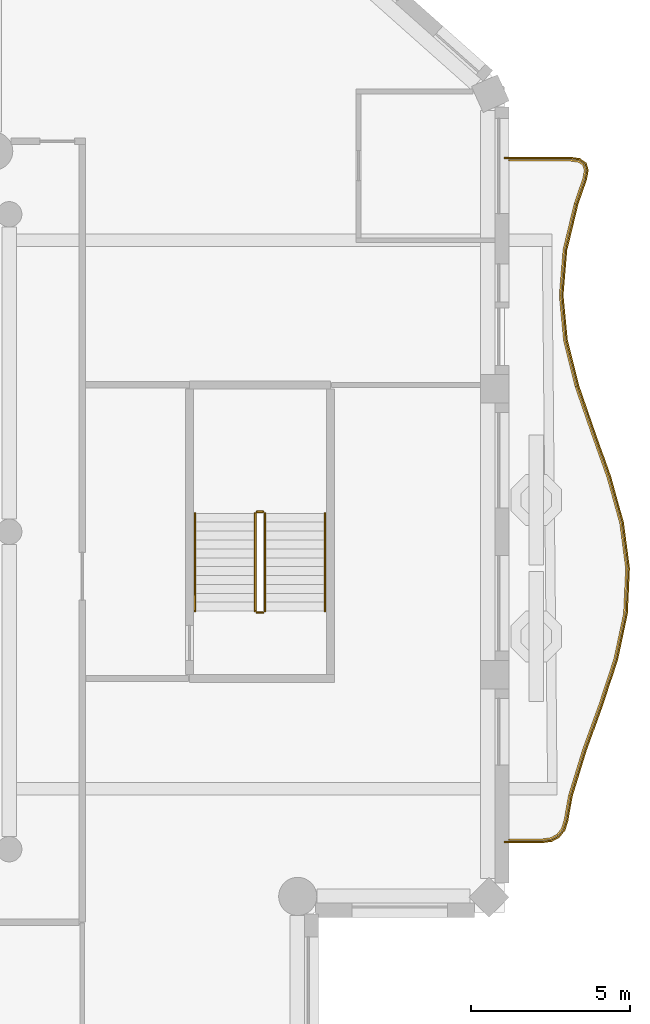
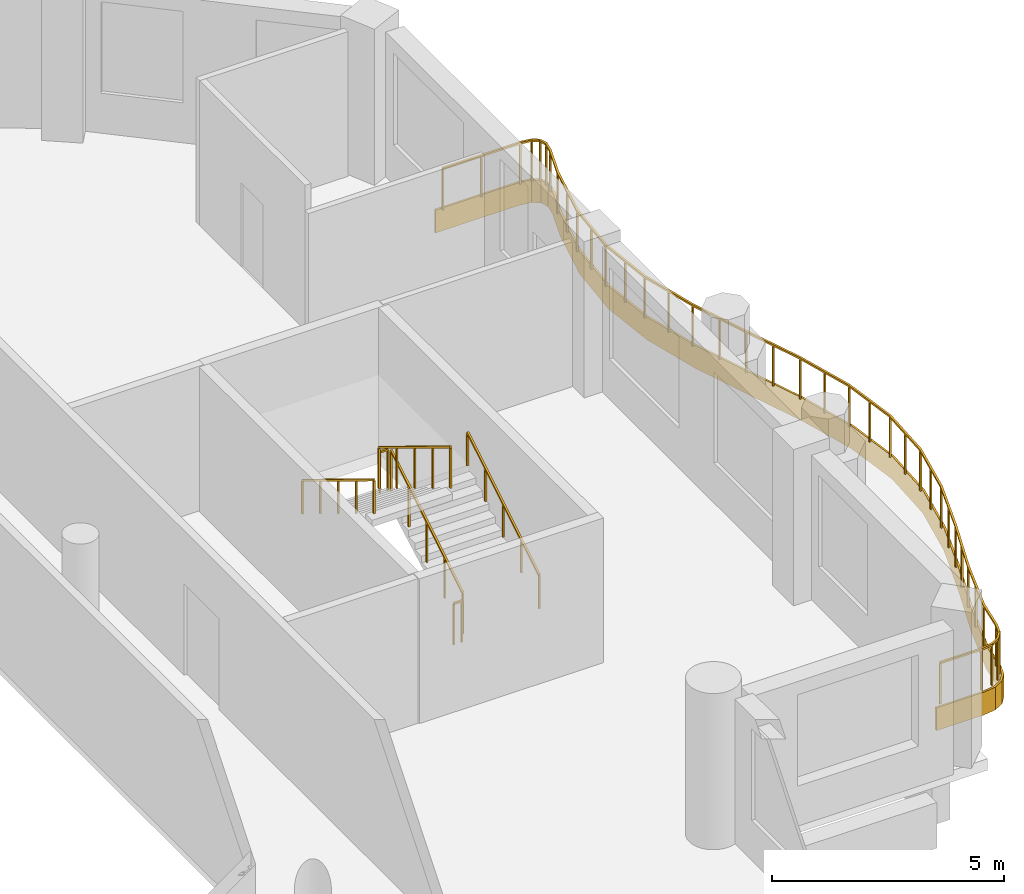
# One storey, part 13 of 15: 7 railings, 1 covering.
"""IFC4 building model written with IfcOpenShell, lengths in metres."""

from ifc_helpers import new_model, si_unit, direction, frame, origin, origin_2d, place, context, subcontext, project, spatial, polyline, rectangle, outline, extrude, material, layer, layer_set, type_object, element, save


model = new_model("IFC4")

# Units and contexts
model_context = context("Model", 3, precision=1e-05, world=origin(), true_north=direction((0.0, 1.0)))
body_context = subcontext(model_context, "Body", "Model", "MODEL_VIEW")
ifc_project = project(units=[si_unit("LENGTHUNIT", "METRE"), si_unit("AREAUNIT", "SQUARE_METRE"), si_unit("VOLUMEUNIT", "CUBIC_METRE"), si_unit("PLANEANGLEUNIT", "RADIAN"), si_unit("MASSUNIT", "GRAM", prefix="KILO")], contexts=[model_context])

# Site, building, storey
site_placement = place(None, origin())
site = spatial("IfcSite", under=ifc_project, at=site_placement, CompositionType="ELEMENT")
building_placement = place(site_placement, origin())
building = spatial("IfcBuilding", under=site, at=building_placement, Name="Cypress Arch Tower", CompositionType="ELEMENT")
storey_placement = place(building_placement, frame((0.0, 0.0, 309.0)))
storey = spatial("IfcBuildingStorey", under=building, at=storey_placement, Name="L70", CompositionType="ELEMENT", Elevation=309.0)

# Covering
ifc_material_1 = material(Name="White powder-coated aluminium fascia", Category="aluminium")
ifc_layer = layer(ifc_material_1, 0.050048828125)
ifc_layer_set = layer_set([ifc_layer], Name="Balcony fascia BF50")
covering_type = type_object("IfcCoveringType", Name="Balcony fascia BF50", PredefinedType="CLADDING", material=ifc_layer_set)
covering_placement = place(storey_placement, frame((0.0, 0.0, -0.60009765625)))
element("IfcCovering", 1, at=covering_placement, inside=storey, type_object=covering_type, Name="Balcony fascia L70-C17", PredefinedType="CLADDING", context=body_context, shape_type="SweptSolid", body=[
    extrude(outline(polyline([(26.68017578125, 11.800048828125), (26.980224609375, 11.757568359375), (27.176025390625, 11.61962890625), (27.2431640625, 11.3896484375), (27.186279296875, 11.092041015625), (26.916015625, 10.302734375), (26.569580078125, 8.875244140625), (26.450439453125, 7.4501953125), (26.587158203125, 6.025146484375), (26.94677734375, 4.59765625), (27.442138671875, 3.16650390625), (27.952392578125, 1.731689453125), (28.35205078125, 0.29345703125), (28.542236328125, -1.14794921875), (28.4755859375, -2.58984375), (28.168701171875, -4.02978515625), (27.697509765625, -5.46630859375), (27.1787109375, -6.899169921875), (26.7392578125, -8.328369140625), (26.59912109375, -9.1171875), (26.504150390625, -9.4111328125), (26.33349609375, -9.6279296875), (26.090087890625, -9.758056640625), (25.7841796875, -9.800048828125), (24.60107421875, -9.800048828125), (24.60107421875, -9.75), (25.78076171875, -9.75), (26.074462890625, -9.709716796875), (26.300537109375, -9.5888671875), (26.459228515625, -9.38720703125), (26.55029296875, -9.10498046875), (26.6904296875, -8.316650390625), (27.13134765625, -6.88330078125), (27.650390625, -5.449951171875), (28.1201171875, -4.0166015625), (28.42578125, -2.583251953125), (28.4921875, -1.14990234375), (28.302978515625, 0.283447265625), (27.90478515625, 1.716552734375), (27.39501953125, 3.14990234375), (26.898681640625, 4.583251953125), (26.53759765625, 6.0166015625), (26.400146484375, 7.449951171875), (26.52001953125, 8.88330078125), (26.867919921875, 10.316650390625), (27.1376953125, 11.10498046875), (27.191650390625, 11.38720703125), (27.1328125, 11.5888671875), (26.961181640625, 11.709716796875), (26.6767578125, 11.75), (24.60107421875, 11.75), (24.60107421875, 11.800048828125), (26.68017578125, 11.800048828125)])), origin(), (0.0, 0.0, 1.0), 0.60009765625),
])

# Railings
ifc_material_2 = material(Name="Powder-coated steel posts and rods, 100 mm clear between rods", Category="steel")
railing_type_1 = type_object("IfcRailingType", Name="Balcony guard GR1100", PredefinedType="GUARDRAIL", material=ifc_material_2)
railing_1_placement = place(storey_placement, frame((24.75, 11.699951171875, 0.0)))
element("IfcRailing", 2, at=railing_1_placement, inside=storey, type_object=railing_type_1, Name="Balcony guard L70-C17", PredefinedType="GUARDRAIL", context=body_context, shape_type="SweptSolid", body=[
    extrude(rectangle(XDim=0.050048828125, YDim=0.050048828125, at=origin_2d()), frame((0.0, 0.0, 1.0751953125), z_axis=(1.0, 0.0, 0.0), x_axis=(0.0, 1.0, 0.0)), (0.0, 0.0, 1.0), 1.92333984375),
    extrude(rectangle(XDim=0.050048828125, YDim=0.050048828125, at=origin_2d()), frame((1.92333984375, 0.0, 1.0751953125), z_axis=(0.990128391125, -0.140163365713, 0.0), x_axis=(0.140163365713, 0.990128391125, 0.0)), (0.0, 0.0, 1.0), 0.271728515625),
    extrude(rectangle(XDim=0.050048828125, YDim=0.050048828125, at=origin_2d()), frame((2.1923828125, -0.0380859375, 1.0751953125), z_axis=(0.817192775019, -0.576364440659, 0.0), x_axis=(0.576364440659, 0.817192775019, 0.0)), (0.0, 0.0, 1.0), 0.180419921875),
    extrude(rectangle(XDim=0.050048828125, YDim=0.050048828125, at=origin_2d()), frame((2.33984375, -0.14208984375, 1.0751953125), z_axis=(0.280259940984, -0.95992414569, 0.0), x_axis=(0.95992414569, 0.280259940984, 0.0)), (0.0, 0.0, 1.0), 0.180419921875),
    extrude(rectangle(XDim=0.050048828125, YDim=0.050048828125, at=origin_2d()), frame((2.390380859375, -0.315185546875, 1.0751953125), z_axis=(-0.18781405479, -0.982204602322, 0.0), x_axis=(0.982204602322, -0.18781405479, 0.0)), (0.0, 0.0, 1.0), 0.271728515625),
    extrude(rectangle(XDim=0.050048828125, YDim=0.050048828125, at=origin_2d()), frame((2.33935546875, -0.58203125, 1.0751953125), z_axis=(-0.323874276522, -0.946100128426, 0.0), x_axis=(0.946100128426, -0.323874276522, 0.0)), (0.0, 0.0, 1.0), 0.832275390625),
    extrude(rectangle(XDim=0.050048828125, YDim=0.050048828125, at=origin_2d()), frame((2.06982421875, -1.369384765625, 1.0751953125), z_axis=(-0.235897255412, -0.971778001855, 0.0), x_axis=(0.971778001855, -0.235897255412, 0.0)), (0.0, 0.0, 1.0), 1.48095703125),
    extrude(rectangle(XDim=0.050048828125, YDim=0.050048828125, at=origin_2d()), frame((1.720458984375, -2.80859375, 1.0751953125), z_axis=(-0.083366698614, -0.996518937884, 0.0), x_axis=(0.996518937884, -0.083366698614, 0.0)), (0.0, 0.0, 1.0), 1.44677734375),
    extrude(rectangle(XDim=0.050048828125, YDim=0.050048828125, at=origin_2d()), frame((1.599853515625, -4.250244140625, 1.0751953125), z_axis=(0.09558071033, -0.995421683415, 0.0), x_axis=(0.995421683415, 0.09558071033, 0.0)), (0.0, 0.0, 1.0), 1.4482421875),
    extrude(rectangle(XDim=0.050048828125, YDim=0.050048828125, at=origin_2d()), frame((1.73828125, -5.69189453125, 1.0751953125), z_axis=(0.24431593072, -0.969695687315, 0.0), x_axis=(0.969695687315, 0.24431593072, 0.0)), (0.0, 0.0, 1.0), 1.48388671875),
    extrude(rectangle(XDim=0.050048828125, YDim=0.050048828125, at=origin_2d()), frame((2.100830078125, -7.130859375, 1.0751953125), z_axis=(0.327198876846, -0.944955498947, 0.0), x_axis=(0.944955498947, 0.327198876846, 0.0)), (0.0, 0.0, 1.0), 1.519287109375),
    extrude(rectangle(XDim=0.050048828125, YDim=0.050048828125, at=origin_2d()), frame((2.597900390625, -8.56640625, 1.0751953125), z_axis=(0.335104742792, -0.942180880382, 0.0), x_axis=(0.942180880382, 0.335104742792, 0.0)), (0.0, 0.0, 1.0), 1.519775390625),
    extrude(rectangle(XDim=0.050048828125, YDim=0.050048828125, at=origin_2d()), frame((3.107177734375, -9.998291015625, 1.0751953125), z_axis=(0.267643863786, -0.96351790963, 0.0), x_axis=(0.96351790963, 0.267643863786, 0.0)), (0.0, 0.0, 1.0), 1.482421875),
    extrude(rectangle(XDim=0.050048828125, YDim=0.050048828125, at=origin_2d()), frame((3.50390625, -11.426513671875, 1.0751953125), z_axis=(0.13090688288, -0.991394668139, 0.0), x_axis=(0.991394668139, 0.13090688288, 0.0)), (0.0, 0.0, 1.0), 1.43798828125),
    extrude(rectangle(XDim=0.050048828125, YDim=0.050048828125, at=origin_2d()), frame((3.692138671875, -12.85205078125, 1.0751953125), z_axis=(-0.046385931084, -0.998923593373, 0.0), x_axis=(0.998923593373, -0.046385931084, 0.0)), (0.0, 0.0, 1.0), 1.42626953125),
    extrude(rectangle(XDim=0.050048828125, YDim=0.050048828125, at=origin_2d()), frame((3.6259765625, -14.27685546875, 1.0751953125), z_axis=(-0.20852322051, -0.97801741626, 0.0), x_axis=(0.97801741626, -0.20852322051, 0.0)), (0.0, 0.0, 1.0), 1.458740234375),
    extrude(rectangle(XDim=0.050048828125, YDim=0.050048828125, at=origin_2d()), frame((3.32177734375, -15.70361328125, 1.0751953125), z_axis=(-0.311502638206, -0.950245287487, 0.0), x_axis=(0.950245287487, -0.311502638206, 0.0)), (0.0, 0.0, 1.0), 1.5048828125),
    extrude(rectangle(XDim=0.050048828125, YDim=0.050048828125, at=origin_2d()), frame((2.85302734375, -17.133544921875, 1.0751953125), z_axis=(-0.340380071037, -0.940287938475, 0.0), x_axis=(0.940287938475, -0.340380071037, 0.0)), (0.0, 0.0, 1.0), 1.52490234375),
    extrude(rectangle(XDim=0.050048828125, YDim=0.050048828125, at=origin_2d()), frame((2.333984375, -18.5673828125, 1.0751953125), z_axis=(-0.293983183143, -0.955810592131, 0.0), x_axis=(0.955810592131, -0.293983183143, 0.0)), (0.0, 0.0, 1.0), 1.50390625),
    extrude(rectangle(XDim=0.050048828125, YDim=0.050048828125, at=origin_2d()), frame((1.891845703125, -20.0048828125, 1.0751953125), z_axis=(-0.175125344841, -0.984546145995, 0.0), x_axis=(0.984546145995, -0.175125344841, 0.0)), (0.0, 0.0, 1.0), 0.80029296875),
    extrude(rectangle(XDim=0.050048828125, YDim=0.050048828125, at=origin_2d()), frame((1.751708984375, -20.792724609375, 1.0751953125), z_axis=(-0.306676473275, -0.951813816216, 0.0), x_axis=(0.951813816216, -0.306676473275, 0.0)), (0.0, 0.0, 1.0), 0.2841796875),
    extrude(rectangle(XDim=0.050048828125, YDim=0.050048828125, at=origin_2d()), frame((1.66455078125, -21.063232421875, 1.0751953125), z_axis=(-0.618775972519, -0.785567499221, 0.0), x_axis=(0.785567499221, -0.618775972519, 0.0)), (0.0, 0.0, 1.0), 0.237060546875),
    extrude(rectangle(XDim=0.050048828125, YDim=0.050048828125, at=origin_2d()), frame((1.517822265625, -21.24951171875, 1.0751953125), z_axis=(-0.881724858893, -0.471764001604, 0.0), x_axis=(0.471764001604, -0.881724858893, 0.0)), (0.0, 0.0, 1.0), 0.237060546875),
    extrude(rectangle(XDim=0.050048828125, YDim=0.050048828125, at=origin_2d()), frame((1.308837890625, -21.361328125, 1.0751953125), z_axis=(-0.990741063369, -0.135765037305, 0.0), x_axis=(0.135765037305, -0.990741063369, 0.0)), (0.0, 0.0, 1.0), 0.2841796875),
    extrude(rectangle(XDim=0.050048828125, YDim=0.050048828125, at=origin_2d()), frame((1.02734375, -21.39990234375, 1.0751953125), z_axis=(-1.0, 0.0, 0.0), x_axis=(0.0, -1.0, 0.0)), (0.0, 0.0, 1.0), 1.02734375),
    extrude(rectangle(XDim=0.0400390625, YDim=0.0400390625, at=origin_2d()), origin(), (0.0, 0.0, 1.0), 1.050048828125),
    extrude(rectangle(XDim=0.0400390625, YDim=0.0400390625, at=origin_2d()), frame((0.961669921875, 0.0, 0.0)), (0.0, 0.0, 1.0), 1.050048828125),
    extrude(rectangle(XDim=0.0400390625, YDim=0.0400390625, at=origin_2d()), frame((1.92333984375, 0.0, 0.0)), (0.0, 0.0, 1.0), 1.050048828125),
    extrude(rectangle(XDim=0.0400390625, YDim=0.0400390625, at=origin_2d()), frame((2.1923828125, -0.0380859375, 0.0)), (0.0, 0.0, 1.0), 1.050048828125),
    extrude(rectangle(XDim=0.0400390625, YDim=0.0400390625, at=origin_2d()), frame((2.33984375, -0.14208984375, 0.0)), (0.0, 0.0, 1.0), 1.050048828125),
    extrude(rectangle(XDim=0.0400390625, YDim=0.0400390625, at=origin_2d()), frame((2.390380859375, -0.315185546875, 0.0)), (0.0, 0.0, 1.0), 1.050048828125),
    extrude(rectangle(XDim=0.0400390625, YDim=0.0400390625, at=origin_2d()), frame((2.33935546875, -0.58203125, 0.0)), (0.0, 0.0, 1.0), 1.050048828125),
    extrude(rectangle(XDim=0.0400390625, YDim=0.0400390625, at=origin_2d()), frame((2.06982421875, -1.369384765625, 0.0)), (0.0, 0.0, 1.0), 1.050048828125),
    extrude(rectangle(XDim=0.0400390625, YDim=0.0400390625, at=origin_2d()), frame((1.89501953125, -2.0888671875, 0.0)), (0.0, 0.0, 1.0), 1.050048828125),
    extrude(rectangle(XDim=0.0400390625, YDim=0.0400390625, at=origin_2d()), frame((1.720458984375, -2.80859375, 0.0)), (0.0, 0.0, 1.0), 1.050048828125),
    extrude(rectangle(XDim=0.0400390625, YDim=0.0400390625, at=origin_2d()), frame((1.66015625, -3.529296875, 0.0)), (0.0, 0.0, 1.0), 1.050048828125),
    extrude(rectangle(XDim=0.0400390625, YDim=0.0400390625, at=origin_2d()), frame((1.599853515625, -4.250244140625, 0.0)), (0.0, 0.0, 1.0), 1.050048828125),
    extrude(rectangle(XDim=0.0400390625, YDim=0.0400390625, at=origin_2d()), frame((1.6689453125, -4.97119140625, 0.0)), (0.0, 0.0, 1.0), 1.050048828125),
    extrude(rectangle(XDim=0.0400390625, YDim=0.0400390625, at=origin_2d()), frame((1.73828125, -5.69189453125, 0.0)), (0.0, 0.0, 1.0), 1.050048828125),
    extrude(rectangle(XDim=0.0400390625, YDim=0.0400390625, at=origin_2d()), frame((1.91943359375, -6.411376953125, 0.0)), (0.0, 0.0, 1.0), 1.050048828125),
    extrude(rectangle(XDim=0.0400390625, YDim=0.0400390625, at=origin_2d()), frame((2.100830078125, -7.130859375, 0.0)), (0.0, 0.0, 1.0), 1.050048828125),
    extrude(rectangle(XDim=0.0400390625, YDim=0.0400390625, at=origin_2d()), frame((2.349365234375, -7.8486328125, 0.0)), (0.0, 0.0, 1.0), 1.050048828125),
    extrude(rectangle(XDim=0.0400390625, YDim=0.0400390625, at=origin_2d()), frame((2.597900390625, -8.56640625, 0.0)), (0.0, 0.0, 1.0), 1.050048828125),
    extrude(rectangle(XDim=0.0400390625, YDim=0.0400390625, at=origin_2d()), frame((2.8525390625, -9.2822265625, 0.0)), (0.0, 0.0, 1.0), 1.050048828125),
    extrude(rectangle(XDim=0.0400390625, YDim=0.0400390625, at=origin_2d()), frame((3.107177734375, -9.998291015625, 0.0)), (0.0, 0.0, 1.0), 1.050048828125),
    extrude(rectangle(XDim=0.0400390625, YDim=0.0400390625, at=origin_2d()), frame((3.3056640625, -10.71240234375, 0.0)), (0.0, 0.0, 1.0), 1.050048828125),
    extrude(rectangle(XDim=0.0400390625, YDim=0.0400390625, at=origin_2d()), frame((3.50390625, -11.426513671875, 0.0)), (0.0, 0.0, 1.0), 1.050048828125),
    extrude(rectangle(XDim=0.0400390625, YDim=0.0400390625, at=origin_2d()), frame((3.59814453125, -12.13916015625, 0.0)), (0.0, 0.0, 1.0), 1.050048828125),
    extrude(rectangle(XDim=0.0400390625, YDim=0.0400390625, at=origin_2d()), frame((3.692138671875, -12.85205078125, 0.0)), (0.0, 0.0, 1.0), 1.050048828125),
    extrude(rectangle(XDim=0.0400390625, YDim=0.0400390625, at=origin_2d()), frame((3.6591796875, -13.564453125, 0.0)), (0.0, 0.0, 1.0), 1.050048828125),
    extrude(rectangle(XDim=0.0400390625, YDim=0.0400390625, at=origin_2d()), frame((3.6259765625, -14.27685546875, 0.0)), (0.0, 0.0, 1.0), 1.050048828125),
    extrude(rectangle(XDim=0.0400390625, YDim=0.0400390625, at=origin_2d()), frame((3.473876953125, -14.990234375, 0.0)), (0.0, 0.0, 1.0), 1.050048828125),
    extrude(rectangle(XDim=0.0400390625, YDim=0.0400390625, at=origin_2d()), frame((3.32177734375, -15.70361328125, 0.0)), (0.0, 0.0, 1.0), 1.050048828125),
    extrude(rectangle(XDim=0.0400390625, YDim=0.0400390625, at=origin_2d()), frame((3.08740234375, -16.41845703125, 0.0)), (0.0, 0.0, 1.0), 1.050048828125),
    extrude(rectangle(XDim=0.0400390625, YDim=0.0400390625, at=origin_2d()), frame((2.85302734375, -17.133544921875, 0.0)), (0.0, 0.0, 1.0), 1.050048828125),
    extrude(rectangle(XDim=0.0400390625, YDim=0.0400390625, at=origin_2d()), frame((2.593505859375, -17.8505859375, 0.0)), (0.0, 0.0, 1.0), 1.050048828125),
    extrude(rectangle(XDim=0.0400390625, YDim=0.0400390625, at=origin_2d()), frame((2.333984375, -18.5673828125, 0.0)), (0.0, 0.0, 1.0), 1.050048828125),
    extrude(rectangle(XDim=0.0400390625, YDim=0.0400390625, at=origin_2d()), frame((2.11279296875, -19.2861328125, 0.0)), (0.0, 0.0, 1.0), 1.050048828125),
    extrude(rectangle(XDim=0.0400390625, YDim=0.0400390625, at=origin_2d()), frame((1.891845703125, -20.0048828125, 0.0)), (0.0, 0.0, 1.0), 1.050048828125),
    extrude(rectangle(XDim=0.0400390625, YDim=0.0400390625, at=origin_2d()), frame((1.751708984375, -20.792724609375, 0.0)), (0.0, 0.0, 1.0), 1.050048828125),
    extrude(rectangle(XDim=0.0400390625, YDim=0.0400390625, at=origin_2d()), frame((1.66455078125, -21.063232421875, 0.0)), (0.0, 0.0, 1.0), 1.050048828125),
    extrude(rectangle(XDim=0.0400390625, YDim=0.0400390625, at=origin_2d()), frame((1.517822265625, -21.24951171875, 0.0)), (0.0, 0.0, 1.0), 1.050048828125),
    extrude(rectangle(XDim=0.0400390625, YDim=0.0400390625, at=origin_2d()), frame((1.308837890625, -21.361328125, 0.0)), (0.0, 0.0, 1.0), 1.050048828125),
    extrude(rectangle(XDim=0.0400390625, YDim=0.0400390625, at=origin_2d()), frame((1.02734375, -21.39990234375, 0.0)), (0.0, 0.0, 1.0), 1.050048828125),
    extrude(rectangle(XDim=0.0400390625, YDim=0.0400390625, at=origin_2d()), frame((0.0, -21.39990234375, 0.0)), (0.0, 0.0, 1.0), 1.050048828125),
])
ifc_material_3 = material(Name="Black powder-coated steel square bar 48 mm", Category="steel")
railing_type_2 = type_object("IfcRailingType", Name="Stair handrail HR1", PredefinedType="HANDRAIL", material=ifc_material_3)
railing_2_placement = place(storey_placement, frame((18.949951171875, -2.5, 0.1708984375)))
element("IfcRailing", 3, at=railing_2_placement, inside=storey, type_object=railing_type_2, Name="L70 C stair handrail 1", PredefinedType="HANDRAIL", context=body_context, shape_type="SweptSolid", body=[
    extrude(rectangle(XDim=0.048095703125, YDim=0.048095703125, at=origin_2d()), frame((0.0, 0.0, 0.8759765625), z_axis=(0.0, 0.853666305674, 0.52082035152), x_axis=(-1.0, 0.0, 0.0)), (0.0, 0.0, 1.0), 3.608154296875),
    extrude(rectangle(XDim=0.0419921875, YDim=0.0419921875, at=origin_2d()), origin(), (0.0, 0.0, 1.0), 0.851806640625),
    extrude(rectangle(XDim=0.0419921875, YDim=0.0419921875, at=origin_2d()), frame((0.0, 0.77001953125, 0.4697265625)), (0.0, 0.0, 1.0), 0.851806640625),
    extrude(rectangle(XDim=0.0419921875, YDim=0.0419921875, at=origin_2d()), frame((0.0, 1.5400390625, 0.939453125)), (0.0, 0.0, 1.0), 0.851806640625),
    extrude(rectangle(XDim=0.0419921875, YDim=0.0419921875, at=origin_2d()), frame((0.0, 2.31005859375, 1.409423828125)), (0.0, 0.0, 1.0), 0.851806640625),
    extrude(rectangle(XDim=0.0419921875, YDim=0.0419921875, at=origin_2d()), frame((0.0, 3.080078125, 1.879150390625)), (0.0, 0.0, 1.0), 0.851806640625),
])
railing_3_placement = place(storey_placement, frame((14.85009765625, 0.580078125, 2.220947265625)))
element("IfcRailing", 4, at=railing_3_placement, inside=storey, type_object=railing_type_2, Name="L70 C stair handrail 2", PredefinedType="HANDRAIL", context=body_context, shape_type="SweptSolid", body=[
    extrude(rectangle(XDim=0.048095703125, YDim=0.048095703125, at=origin_2d()), frame((0.0, 0.0, 0.8759765625), z_axis=(0.0, -0.853666305674, 0.52082035152), x_axis=(1.0, 0.0, 0.0)), (0.0, 0.0, 1.0), 3.608154296875),
    extrude(rectangle(XDim=0.0419921875, YDim=0.0419921875, at=origin_2d()), origin(), (0.0, 0.0, 1.0), 0.851806640625),
    extrude(rectangle(XDim=0.0419921875, YDim=0.0419921875, at=origin_2d()), frame((0.0, -0.77001953125, 0.4697265625)), (0.0, 0.0, 1.0), 0.851806640625),
    extrude(rectangle(XDim=0.0419921875, YDim=0.0419921875, at=origin_2d()), frame((0.0, -1.5400390625, 0.939453125)), (0.0, 0.0, 1.0), 0.851806640625),
    extrude(rectangle(XDim=0.0419921875, YDim=0.0419921875, at=origin_2d()), frame((0.0, -2.31005859375, 1.409423828125)), (0.0, 0.0, 1.0), 0.851806640625),
    extrude(rectangle(XDim=0.0419921875, YDim=0.0419921875, at=origin_2d()), frame((0.0, -3.080078125, 1.879150390625)), (0.0, 0.0, 1.0), 0.851806640625),
])
ifc_material_4 = material(Name="Black powder-coated steel balusters", Category="steel")
railing_type_3 = type_object("IfcRailingType", Name="Stair well guard G1", PredefinedType="GUARDRAIL", material=ifc_material_4)
railing_4_placement = place(storey_placement, frame((17.050048828125, -2.5, 0.1708984375)))
element("IfcRailing", 5, at=railing_4_placement, inside=storey, type_object=railing_type_3, Name="L70 C stair guard 1", PredefinedType="GUARDRAIL", context=body_context, shape_type="SweptSolid", body=[
    extrude(rectangle(XDim=0.048095703125, YDim=0.048095703125, at=origin_2d()), frame((0.0, 0.0, 1.076171875), z_axis=(0.0, 0.853666305674, 0.52082035152), x_axis=(-1.0, 0.0, 0.0)), (0.0, 0.0, 1.0), 3.608154296875),
    extrude(rectangle(XDim=0.0419921875, YDim=0.0419921875, at=origin_2d()), origin(), (0.0, 0.0, 1.0), 1.052001953125),
    extrude(rectangle(XDim=0.0419921875, YDim=0.0419921875, at=origin_2d()), frame((0.0, 0.77001953125, 0.4697265625)), (0.0, 0.0, 1.0), 1.052001953125),
    extrude(rectangle(XDim=0.0419921875, YDim=0.0419921875, at=origin_2d()), frame((0.0, 1.5400390625, 0.939453125)), (0.0, 0.0, 1.0), 1.052001953125),
    extrude(rectangle(XDim=0.0419921875, YDim=0.0419921875, at=origin_2d()), frame((0.0, 2.31005859375, 1.409423828125)), (0.0, 0.0, 1.0), 1.052001953125),
    extrude(rectangle(XDim=0.0419921875, YDim=0.0419921875, at=origin_2d()), frame((0.0, 3.080078125, 1.879150390625)), (0.0, 0.0, 1.0), 1.052001953125),
])
railing_5_placement = place(storey_placement, frame((17.0, 0.6298828125, 2.050048828125)))
element("IfcRailing", 6, at=railing_5_placement, inside=storey, type_object=railing_type_3, Name="L70 C stair guard 2", PredefinedType="GUARDRAIL", context=body_context, shape_type="SweptSolid", body=[
    extrude(rectangle(XDim=0.048095703125, YDim=0.048095703125, at=origin_2d()), frame((0.0, 0.0, 1.076171875), z_axis=(-1.0, 0.0, 0.0), x_axis=(0.0, -1.0, 0.0)), (0.0, 0.0, 1.0), 0.199951171875),
    extrude(rectangle(XDim=0.0419921875, YDim=0.0419921875, at=origin_2d()), origin(), (0.0, 0.0, 1.0), 1.052001953125),
    extrude(rectangle(XDim=0.0419921875, YDim=0.0419921875, at=origin_2d()), frame((-0.199951171875, 0.0, 0.0)), (0.0, 0.0, 1.0), 1.052001953125),
])
railing_6_placement = place(storey_placement, frame((16.75, 0.580078125, 2.220947265625)))
element("IfcRailing", 7, at=railing_6_placement, inside=storey, type_object=railing_type_3, Name="L70 C stair guard 3", PredefinedType="GUARDRAIL", context=body_context, shape_type="SweptSolid", body=[
    extrude(rectangle(XDim=0.048095703125, YDim=0.048095703125, at=origin_2d()), frame((0.0, 0.0, 1.076171875), z_axis=(0.0, -0.853666305674, 0.52082035152), x_axis=(1.0, 0.0, 0.0)), (0.0, 0.0, 1.0), 3.608154296875),
    extrude(rectangle(XDim=0.0419921875, YDim=0.0419921875, at=origin_2d()), origin(), (0.0, 0.0, 1.0), 1.052001953125),
    extrude(rectangle(XDim=0.0419921875, YDim=0.0419921875, at=origin_2d()), frame((0.0, -0.77001953125, 0.4697265625)), (0.0, 0.0, 1.0), 1.052001953125),
    extrude(rectangle(XDim=0.0419921875, YDim=0.0419921875, at=origin_2d()), frame((0.0, -1.5400390625, 0.939453125)), (0.0, 0.0, 1.0), 1.052001953125),
    extrude(rectangle(XDim=0.0419921875, YDim=0.0419921875, at=origin_2d()), frame((0.0, -2.31005859375, 1.409423828125)), (0.0, 0.0, 1.0), 1.052001953125),
    extrude(rectangle(XDim=0.0419921875, YDim=0.0419921875, at=origin_2d()), frame((0.0, -3.080078125, 1.879150390625)), (0.0, 0.0, 1.0), 1.052001953125),
])
railing_7_placement = place(storey_placement, frame((17.0, -2.550048828125, 0.0)))
element("IfcRailing", 8, at=railing_7_placement, inside=storey, type_object=railing_type_3, Name="L70 C stair guard 4", PredefinedType="GUARDRAIL", context=body_context, shape_type="SweptSolid", body=[
    extrude(rectangle(XDim=0.048095703125, YDim=0.048095703125, at=origin_2d()), frame((0.0, 0.0, 1.076171875), z_axis=(-1.0, 0.0, 0.0), x_axis=(0.0, -1.0, 0.0)), (0.0, 0.0, 1.0), 0.199951171875),
    extrude(rectangle(XDim=0.0419921875, YDim=0.0419921875, at=origin_2d()), origin(), (0.0, 0.0, 1.0), 1.052001953125),
    extrude(rectangle(XDim=0.0419921875, YDim=0.0419921875, at=origin_2d()), frame((-0.199951171875, 0.0, 0.0)), (0.0, 0.0, 1.0), 1.052001953125),
])

save(model, "model.ifc")
